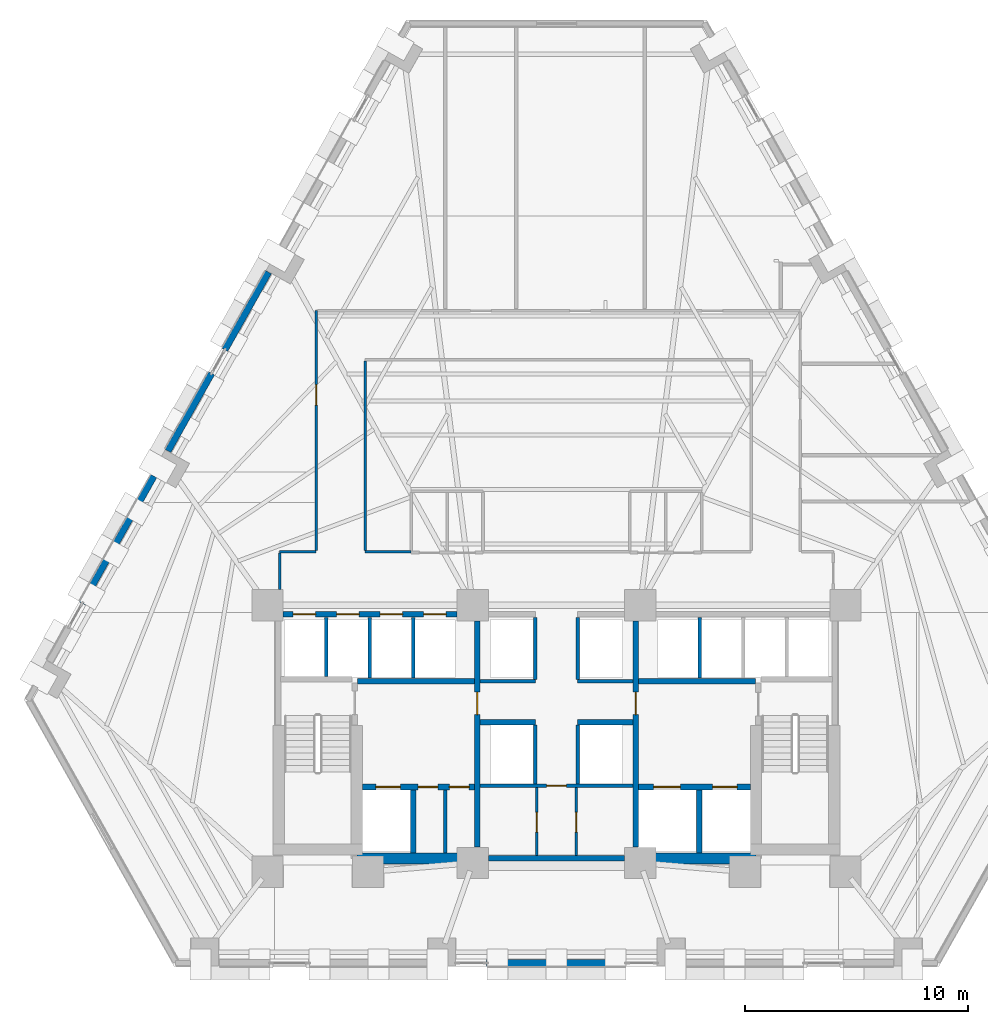
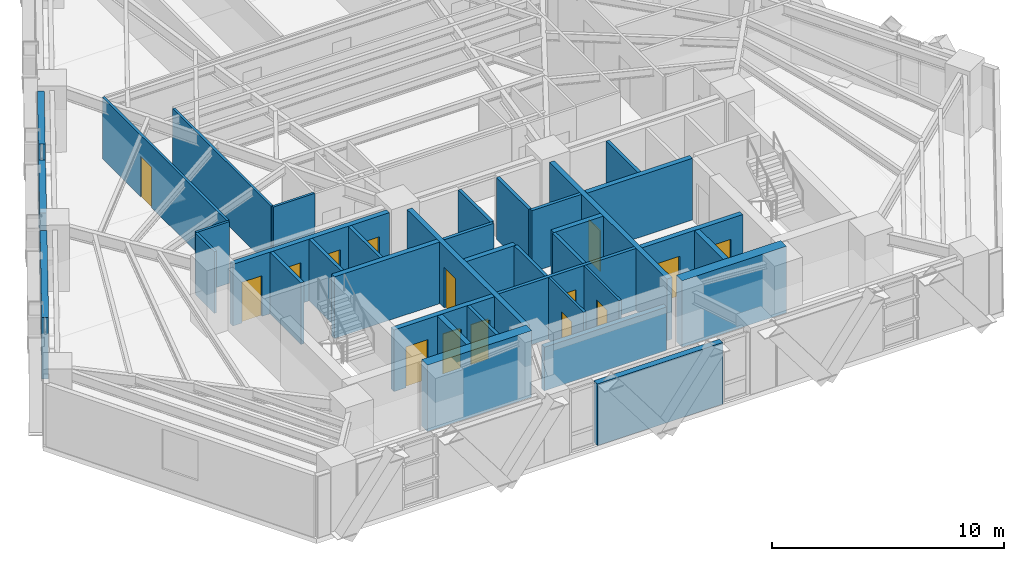
# One storey, part 7 of 13: 37 walls, 15 doors, 15 openings.
"""IFC4 building model written with IfcOpenShell, lengths in metres."""

from ifc_helpers import new_model, si_unit, direction, frame, frame_2d, origin, place, context, subcontext, project, spatial, rectangle, extrude, material, layer, layer_set, type_object, element, fill, save


model = new_model("IFC4")

# Units and contexts
model_context = context("Model", 3, precision=1e-05, world=origin(), true_north=direction((0.0, 1.0)))
body_context = subcontext(model_context, "Body", "Model", "MODEL_VIEW")
ifc_project = project(units=[si_unit("LENGTHUNIT", "METRE"), si_unit("AREAUNIT", "SQUARE_METRE"), si_unit("VOLUMEUNIT", "CUBIC_METRE"), si_unit("PLANEANGLEUNIT", "RADIAN"), si_unit("MASSUNIT", "GRAM", prefix="KILO")], contexts=[model_context])

# Site, building, storey
site_placement = place(None, origin())
site = spatial("IfcSite", under=ifc_project, at=site_placement, CompositionType="ELEMENT")
building_placement = place(site_placement, origin())
building = spatial("IfcBuilding", under=site, at=building_placement, Name="Quenlor Broadcast Tower", CompositionType="ELEMENT")
storey_placement = place(building_placement, frame((0.0, 0.0, 38.10009765625)))
storey = spatial("IfcBuildingStorey", under=building, at=storey_placement, Name="L09", CompositionType="ELEMENT", Elevation=38.10009765625)

# Walls
ifc_material_1 = material(Name="Concrete C65/80", Category="concrete")
ifc_layer_1 = layer(ifc_material_1, 0.5)
ifc_layer_set_1 = layer_set([ifc_layer_1], Name="Core Concrete C65/80 Shear Wall 500")
wall_type_1 = type_object("IfcWallType", Name="Core Concrete C65/80 Shear Wall 500", PredefinedType="SHEAR", material=ifc_layer_set_1)
for number, where, z_axis, x_axis, name in (
    (1, (-8.949951171875, -16.14990234375, 0.0), (0.0, 0.0, 1.0), (1.0, 0.0, 0.0), "L09 Core Shear Wall WS-W2"),
    (2, (3.75, -16.14990234375, 0.0), (0.0, 0.0, 1.0), (1.0, 0.0, 0.0), "L09 Core Shear Wall WS-E1"),
):
    element("IfcWall", number, at=place(storey_placement, frame(where, z_axis=z_axis, x_axis=x_axis)), inside=storey, type_object=wall_type_1, Name=name, PredefinedType="SHEAR", context=body_context, shape_type="SweptSolid", body=[
        extrude(rectangle(XDim=5.199951171875, YDim=0.5, at=frame_2d((2.60009765625, 0.0))), origin(), (0.0, 0.0, 1.0), 3.5),
    ])

# Wall, openings, doors
ifc_material_2 = material(Name="Concrete C40/50", Category="concrete")
ifc_layer_2 = layer(ifc_material_2, 0.25)
ifc_layer_set_2 = layer_set([ifc_layer_2], Name="Fire Rated Concrete C40/50 Core Wall 250")
wall_type_2 = type_object("IfcWallType", Name="Fire Rated Concrete C40/50 Core Wall 250", PredefinedType="PARTITIONING", material=ifc_layer_set_2)
wall_1_placement = place(storey_placement, frame((-8.697998046875, -12.949951171875, 0.0), z_axis=(0.0, 0.0, 1.0), x_axis=(1.0, 0.0, 0.0)))
wall_1 = element("IfcWall", 3, at=wall_1_placement, inside=storey, type_object=wall_type_2, Name="L09 Interior Wall CW-FFW-S", PredefinedType="PARTITIONING", context=body_context, shape_type="SweptSolid", body=[
    extrude(rectangle(XDim=5.01806640625, YDim=0.25, at=frame_2d((2.509033203125, 0.0))), origin(), (0.0, 0.0, 1.0), 3.25),
])
opening_1_placement = place(wall_1_placement, frame((0.597900390625, 0.0, 0.0)))
opening_1 = element("IfcOpeningElement", 4, at=opening_1_placement, cuts=wall_1, Name="Opening LD-FFL-1", PredefinedType="OPENING", context=body_context, shape_type="SweptSolid", body=[
    extrude(rectangle(XDim=1.10009765625, YDim=2.14990234375, at=frame_2d((0.550048828125, 1.074951171875))), frame((0.0, 0.135009765625, 0.0), z_axis=(0.0, -1.0, 0.0), x_axis=(1.0, 0.0, 0.0)), (0.0, 0.0, 1.0), 0.27001953125),
])
opening_2_placement = place(wall_1_placement, frame((2.498046875, 0.0, 0.0)))
opening_2 = element("IfcOpeningElement", 5, at=opening_2_placement, cuts=wall_1, Name="Opening TD-1", PredefinedType="OPENING", context=body_context, shape_type="SweptSolid", body=[
    extrude(rectangle(XDim=0.8798828125, YDim=2.10009765625, at=frame_2d((0.43994140625, 1.050048828125))), frame((0.0, 0.135009765625, 0.0), z_axis=(0.0, -1.0, 0.0), x_axis=(1.0, 0.0, 0.0)), (0.0, 0.0, 1.0), 0.27001953125),
])
opening_3_placement = place(wall_1_placement, frame((3.89794921875, 0.0, 0.0)))
opening_3 = element("IfcOpeningElement", 6, at=opening_3_placement, cuts=wall_1, Name="Opening TD-1", PredefinedType="OPENING", context=body_context, shape_type="SweptSolid", body=[
    extrude(rectangle(XDim=0.8798828125, YDim=2.10009765625, at=frame_2d((0.43994140625, 1.050048828125))), frame((0.0, 0.135009765625, 0.0), z_axis=(0.0, -1.0, 0.0), x_axis=(1.0, 0.0, 0.0)), (0.0, 0.0, 1.0), 0.27001953125),
])
ifc_material_3 = material(Name="Brushed Stainless Steel", Category="steel")
door_type_1 = type_object("IfcDoorType", Name="Emergency Lift Sliding Landing Door 1100x2150", OperationType="NOTDEFINED", PredefinedType="DOOR", material=ifc_material_3)
door_1_placement = place(opening_1_placement, origin())
door_1 = element("IfcDoor", 7, at=door_1_placement, inside=storey, type_object=door_type_1, Name="L09 Door LD-FFL-1", OperationType="SLIDING_TO_LEFT", OverallHeight=2.14990234375, OverallWidth=1.10009765625, PredefinedType="DOOR", context=body_context, shape_type="SweptSolid", body=[
    extrude(rectangle(XDim=1.10009765625, YDim=2.14990234375, at=frame_2d((0.550048828125, 1.074951171875))), frame((0.0, 0.02490234375, 0.0), z_axis=(0.0, -1.0, 0.0), x_axis=(1.0, 0.0, 0.0)), (0.0, 0.0, 1.0), 0.050048828125),
])
fill(opening_1, door_1)
ifc_material_4 = material(Name="Fire Rated Steel Access Panel", Category="steel")
door_type_2 = type_object("IfcDoorType", Name="Riser Shaft Rated Access Trapdoor 880x2100", OperationType="NOTDEFINED", PredefinedType="TRAPDOOR", material=ifc_material_4)
door_2_placement = place(opening_2_placement, origin())
door_2 = element("IfcDoor", 8, at=door_2_placement, inside=storey, type_object=door_type_2, Name="L09 Door DR-ELR", OperationType="SINGLE_SWING_LEFT", OverallHeight=2.10009765625, OverallWidth=0.8798828125, PredefinedType="TRAPDOOR", context=body_context, shape_type="SweptSolid", body=[
    extrude(rectangle(XDim=0.8798828125, YDim=2.10009765625, at=frame_2d((0.43994140625, 1.050048828125))), frame((0.0, 0.02490234375, 0.0), z_axis=(0.0, -1.0, 0.0), x_axis=(1.0, 0.0, 0.0)), (0.0, 0.0, 1.0), 0.050048828125),
])
fill(opening_2, door_2)
door_3_placement = place(opening_3_placement, origin())
door_3 = element("IfcDoor", 9, at=door_3_placement, inside=storey, type_object=door_type_2, Name="L09 Door DR-CMR", OperationType="SINGLE_SWING_RIGHT", OverallHeight=2.10009765625, OverallWidth=0.8798828125, PredefinedType="TRAPDOOR", context=body_context, shape_type="SweptSolid", body=[
    extrude(rectangle(XDim=0.8798828125, YDim=2.10009765625, at=frame_2d((0.43994140625, 1.050048828125))), frame((0.0, 0.02490234375, 0.0), z_axis=(0.0, -1.0, 0.0), x_axis=(1.0, 0.0, 0.0)), (0.0, 0.0, 1.0), 0.050048828125),
])
fill(opening_3, door_3)

wall_2_placement = place(storey_placement, frame((3.679931640625, -12.949951171875, 0.0), z_axis=(0.0, 0.0, 1.0), x_axis=(1.0, 0.0, 0.0)))
wall_2 = element("IfcWall", 10, at=wall_2_placement, inside=storey, type_object=wall_type_2, Name="L09 Interior Wall CW-FFE-S", PredefinedType="PARTITIONING", context=body_context, shape_type="SweptSolid", body=[
    extrude(rectangle(XDim=5.01806640625, YDim=0.25, at=frame_2d((2.509033203125, 0.0))), origin(), (0.0, 0.0, 1.0), 3.25),
])
opening_4_placement = place(wall_2_placement, frame((3.320068359375, 0.0, 0.0)))
opening_4 = element("IfcOpeningElement", 11, at=opening_4_placement, cuts=wall_2, Name="Opening LD-FFL-2", PredefinedType="OPENING", context=body_context, shape_type="SweptSolid", body=[
    extrude(rectangle(XDim=1.10009765625, YDim=2.14990234375, at=frame_2d((0.550048828125, 1.074951171875))), frame((0.0, 0.135009765625, 0.0), z_axis=(0.0, -1.0, 0.0), x_axis=(1.0, 0.0, 0.0)), (0.0, 0.0, 1.0), 0.27001953125),
])
opening_5_placement = place(wall_2_placement, frame((0.669921875, 0.0, 0.0)))
opening_5 = element("IfcOpeningElement", 12, at=opening_5_placement, cuts=wall_2, Name="Opening LD-SVL-1", PredefinedType="OPENING", context=body_context, shape_type="SweptSolid", body=[
    extrude(rectangle(XDim=1.199951171875, YDim=2.14990234375, at=frame_2d((0.60009765625, 1.074951171875))), frame((0.0, 0.135009765625, 0.0), z_axis=(0.0, -1.0, 0.0), x_axis=(1.0, 0.0, 0.0)), (0.0, 0.0, 1.0), 0.27001953125),
])
door_4_placement = place(opening_4_placement, origin())
door_4 = element("IfcDoor", 13, at=door_4_placement, inside=storey, type_object=door_type_1, Name="L09 Door LD-FFL-2", OperationType="SLIDING_TO_RIGHT", OverallHeight=2.14990234375, OverallWidth=1.10009765625, PredefinedType="DOOR", context=body_context, shape_type="SweptSolid", body=[
    extrude(rectangle(XDim=1.10009765625, YDim=2.14990234375, at=frame_2d((0.550048828125, 1.074951171875))), frame((0.0, 0.02490234375, 0.0), z_axis=(0.0, -1.0, 0.0), x_axis=(1.0, 0.0, 0.0)), (0.0, 0.0, 1.0), 0.050048828125),
])
fill(opening_4, door_4)
ifc_material_5 = material(Name="Brushed Stainless Steel", Category="steel")
door_type_3 = type_object("IfcDoorType", Name="Goods Lift Sliding Landing Door 1200x2150", OperationType="NOTDEFINED", PredefinedType="DOOR", material=ifc_material_5)
door_5_placement = place(opening_5_placement, origin())
door_5 = element("IfcDoor", 14, at=door_5_placement, inside=storey, type_object=door_type_3, Name="L09 Door LD-SVL-1", OperationType="SLIDING_TO_LEFT", OverallHeight=2.14990234375, OverallWidth=1.199951171875, PredefinedType="DOOR", context=body_context, shape_type="SweptSolid", body=[
    extrude(rectangle(XDim=1.199951171875, YDim=2.14990234375, at=frame_2d((0.60009765625, 1.074951171875))), frame((0.0, 0.02490234375, 0.0), z_axis=(0.0, -1.0, 0.0), x_axis=(1.0, 0.0, 0.0)), (0.0, 0.0, 1.0), 0.050048828125),
])
fill(opening_5, door_5)

# Walls
for number, where, z_axis, x_axis, name in (
    (15, (-6.419921875, -15.89794921875, 0.0), (0.0, 0.0, 1.0), (0.0, 1.0, 0.0), "L09 Interior Wall CW-FF1-E"),
    (16, (6.39990234375, -15.89794921875, 0.0), (0.0, 0.0, 1.0), (0.0, 1.0, 0.0), "L09 Interior Wall CW-SV1-E"),
):
    element("IfcWall", number, at=place(storey_placement, frame(where, z_axis=z_axis, x_axis=x_axis)), inside=storey, type_object=wall_type_2, Name=name, PredefinedType="PARTITIONING", context=body_context, shape_type="SweptSolid", body=[
        extrude(rectangle(XDim=2.807861328125, YDim=0.25, at=frame_2d((1.40380859375, 0.0))), origin(), (0.0, 0.0, 1.0), 3.25),
    ])
for number, where, z_axis, x_axis, name in (
    (17, (-8.919921875, -8.199951171875, 0.0), (0.0, 0.0, 1.0), (1.0, 0.0, 0.0), "L09 Interior Wall CW-FFW-N"),
    (18, (3.679931640625, -8.199951171875, 0.0), (0.0, 0.0, 1.0), (1.0, 0.0, 0.0), "L09 Interior Wall CW-FFE-N"),
):
    element("IfcWall", number, at=place(storey_placement, frame(where, z_axis=z_axis, x_axis=x_axis)), inside=storey, type_object=wall_type_2, Name=name, PredefinedType="PARTITIONING", context=body_context, shape_type="SweptSolid", body=[
        extrude(rectangle(XDim=5.239990234375, YDim=0.25, at=frame_2d((2.6201171875, 0.0))), origin(), (0.0, 0.0, 1.0), 3.25),
    ])

# Wall, opening, door
wall_3_placement = place(storey_placement, frame((-3.550048828125, -15.64794921875, 0.0), z_axis=(0.0, 0.0, 1.0), x_axis=(0.0, 1.0, 0.0)))
wall_3 = element("IfcWall", 19, at=wall_3_placement, inside=storey, type_object=wall_type_2, Name="L09 Interior Wall CW-FFW-E", PredefinedType="PARTITIONING", context=body_context, shape_type="SweptSolid", body=[
    extrude(rectangle(XDim=10.14599609375, YDim=0.25, at=frame_2d((5.072998046875, 0.0))), origin(), (0.0, 0.0, 1.0), 3.25),
])
opening_6_placement = place(wall_3_placement, frame((5.947998046875, 0.0, 0.0)))
opening_6 = element("IfcOpeningElement", 20, at=opening_6_placement, cuts=wall_3, Name="Opening FD-2", PredefinedType="OPENING", context=body_context, shape_type="SweptSolid", body=[
    extrude(rectangle(XDim=1.0, YDim=2.14990234375, at=frame_2d((0.5, 1.074951171875))), frame((0.0, 0.135009765625, 0.0), z_axis=(0.0, -1.0, 0.0), x_axis=(1.0, 0.0, 0.0)), (0.0, 0.0, 1.0), 0.27001953125),
])
ifc_material_6 = material(Name="Fire Rated Glazed Steel Door", Category="steel")
door_type_4 = type_object("IfcDoorType", Name="Firefighting Lobby Smoke Door 1000x2150", OperationType="NOTDEFINED", PredefinedType="DOOR", material=ifc_material_6)
door_6_placement = place(opening_6_placement, origin())
door_6 = element("IfcDoor", 21, at=door_6_placement, inside=storey, type_object=door_type_4, Name="L09 Door DR-FFLW", OperationType="SINGLE_SWING_RIGHT", OverallHeight=2.14990234375, OverallWidth=1.0, PredefinedType="DOOR", context=body_context, shape_type="SweptSolid", body=[
    extrude(rectangle(XDim=1.0, YDim=2.14990234375, at=frame_2d((0.5, 1.074951171875))), frame((0.0, 0.02490234375, 0.0), z_axis=(0.0, -1.0, 0.0), x_axis=(1.0, 0.0, 0.0)), (0.0, 0.0, 1.0), 0.050048828125),
])
fill(opening_6, door_6)

wall_4_placement = place(storey_placement, frame((3.550048828125, -15.64794921875, 0.0), z_axis=(0.0, 0.0, 1.0), x_axis=(0.0, 1.0, 0.0)))
wall_4 = element("IfcWall", 22, at=wall_4_placement, inside=storey, type_object=wall_type_2, Name="L09 Interior Wall CW-FFE-W", PredefinedType="PARTITIONING", context=body_context, shape_type="SweptSolid", body=[
    extrude(rectangle(XDim=10.14599609375, YDim=0.25, at=frame_2d((5.072998046875, 0.0))), origin(), (0.0, 0.0, 1.0), 3.25),
])
opening_7_placement = place(wall_4_placement, frame((5.947998046875, 0.0, 0.0)))
opening_7 = element("IfcOpeningElement", 23, at=opening_7_placement, cuts=wall_4, Name="Opening FD-2", PredefinedType="OPENING", context=body_context, shape_type="SweptSolid", body=[
    extrude(rectangle(XDim=1.0, YDim=2.14990234375, at=frame_2d((0.5, 1.074951171875))), frame((0.0, 0.135009765625, 0.0), z_axis=(0.0, -1.0, 0.0), x_axis=(1.0, 0.0, 0.0)), (0.0, 0.0, 1.0), 0.27001953125),
])
door_7_placement = place(opening_7_placement, origin())
door_7 = element("IfcDoor", 24, at=door_7_placement, inside=storey, type_object=door_type_4, Name="L09 Door DR-FFLE", OperationType="SINGLE_SWING_LEFT", OverallHeight=2.14990234375, OverallWidth=1.0, PredefinedType="DOOR", context=body_context, shape_type="SweptSolid", body=[
    extrude(rectangle(XDim=1.0, YDim=2.14990234375, at=frame_2d((0.5, 1.074951171875))), frame((0.0, 0.02490234375, 0.0), z_axis=(0.0, -1.0, 0.0), x_axis=(1.0, 0.0, 0.0)), (0.0, 0.0, 1.0), 0.050048828125),
])
fill(opening_7, door_7)

# Wall, openings, doors
wall_5_placement = place(storey_placement, frame((-12.248046875, -5.199951171875, 0.0), z_axis=(0.0, 0.0, 1.0), x_axis=(1.0, 0.0, 0.0)))
wall_5 = element("IfcWall", 25, at=wall_5_placement, inside=storey, type_object=wall_type_2, Name="L09 Interior Wall CW-N-W", PredefinedType="PARTITIONING", context=body_context, shape_type="SweptSolid", body=[
    extrude(rectangle(XDim=7.796142578125, YDim=0.25, at=frame_2d((3.89794921875, 0.0))), origin(), (0.0, 0.0, 1.0), 3.25),
])
opening_8_placement = place(wall_5_placement, frame((0.447998046875, 0.0, 0.0)))
opening_8 = element("IfcOpeningElement", 26, at=opening_8_placement, cuts=wall_5, Name="Opening LD-PL-L1", PredefinedType="OPENING", context=body_context, shape_type="SweptSolid", body=[
    extrude(rectangle(XDim=1.0, YDim=2.14990234375, at=frame_2d((0.5, 1.074951171875))), frame((0.0, 0.135009765625, 0.0), z_axis=(0.0, -1.0, 0.0), x_axis=(1.0, 0.0, 0.0)), (0.0, 0.0, 1.0), 0.27001953125),
])
opening_9_placement = place(wall_5_placement, frame((2.39794921875, 0.0, 0.0)))
opening_9 = element("IfcOpeningElement", 27, at=opening_9_placement, cuts=wall_5, Name="Opening LD-PL-L2", PredefinedType="OPENING", context=body_context, shape_type="SweptSolid", body=[
    extrude(rectangle(XDim=1.0, YDim=2.14990234375, at=frame_2d((0.5, 1.074951171875))), frame((0.0, 0.135009765625, 0.0), z_axis=(0.0, -1.0, 0.0), x_axis=(1.0, 0.0, 0.0)), (0.0, 0.0, 1.0), 0.27001953125),
])
opening_10_placement = place(wall_5_placement, frame((4.347900390625, 0.0, 0.0)))
opening_10 = element("IfcOpeningElement", 28, at=opening_10_placement, cuts=wall_5, Name="Opening LD-PL-L3", PredefinedType="OPENING", context=body_context, shape_type="SweptSolid", body=[
    extrude(rectangle(XDim=1.0, YDim=2.14990234375, at=frame_2d((0.5, 1.074951171875))), frame((0.0, 0.135009765625, 0.0), z_axis=(0.0, -1.0, 0.0), x_axis=(1.0, 0.0, 0.0)), (0.0, 0.0, 1.0), 0.27001953125),
])
opening_11_placement = place(wall_5_placement, frame((6.298095703125, 0.0, 0.0)))
opening_11 = element("IfcOpeningElement", 29, at=opening_11_placement, cuts=wall_5, Name="Opening LD-PL-L4", PredefinedType="OPENING", context=body_context, shape_type="SweptSolid", body=[
    extrude(rectangle(XDim=1.0, YDim=2.14990234375, at=frame_2d((0.5, 1.074951171875))), frame((0.0, 0.135009765625, 0.0), z_axis=(0.0, -1.0, 0.0), x_axis=(1.0, 0.0, 0.0)), (0.0, 0.0, 1.0), 0.27001953125),
])
ifc_material_7 = material(Name="Brushed Stainless Steel", Category="steel")
door_type_5 = type_object("IfcDoorType", Name="Passenger Lift Sliding Landing Door 1000x2150", OperationType="NOTDEFINED", PredefinedType="DOOR", material=ifc_material_7)
door_8_placement = place(opening_8_placement, origin())
door_8 = element("IfcDoor", 30, at=door_8_placement, inside=storey, type_object=door_type_5, Name="L09 Door LD-PL-L1", OperationType="SLIDING_TO_LEFT", OverallHeight=2.14990234375, OverallWidth=1.0, PredefinedType="DOOR", context=body_context, shape_type="SweptSolid", body=[
    extrude(rectangle(XDim=1.0, YDim=2.14990234375, at=frame_2d((0.5, 1.074951171875))), frame((0.0, 0.02490234375, 0.0), z_axis=(0.0, -1.0, 0.0), x_axis=(1.0, 0.0, 0.0)), (0.0, 0.0, 1.0), 0.050048828125),
])
fill(opening_8, door_8)
door_9_placement = place(opening_9_placement, origin())
door_9 = element("IfcDoor", 31, at=door_9_placement, inside=storey, type_object=door_type_5, Name="L09 Door LD-PL-L2", OperationType="SLIDING_TO_LEFT", OverallHeight=2.14990234375, OverallWidth=1.0, PredefinedType="DOOR", context=body_context, shape_type="SweptSolid", body=[
    extrude(rectangle(XDim=1.0, YDim=2.14990234375, at=frame_2d((0.5, 1.074951171875))), frame((0.0, 0.02490234375, 0.0), z_axis=(0.0, -1.0, 0.0), x_axis=(1.0, 0.0, 0.0)), (0.0, 0.0, 1.0), 0.050048828125),
])
fill(opening_9, door_9)
door_10_placement = place(opening_10_placement, origin())
door_10 = element("IfcDoor", 32, at=door_10_placement, inside=storey, type_object=door_type_5, Name="L09 Door LD-PL-L3", OperationType="SLIDING_TO_LEFT", OverallHeight=2.14990234375, OverallWidth=1.0, PredefinedType="DOOR", context=body_context, shape_type="SweptSolid", body=[
    extrude(rectangle(XDim=1.0, YDim=2.14990234375, at=frame_2d((0.5, 1.074951171875))), frame((0.0, 0.02490234375, 0.0), z_axis=(0.0, -1.0, 0.0), x_axis=(1.0, 0.0, 0.0)), (0.0, 0.0, 1.0), 0.050048828125),
])
fill(opening_10, door_10)
door_11_placement = place(opening_11_placement, origin())
door_11 = element("IfcDoor", 33, at=door_11_placement, inside=storey, type_object=door_type_5, Name="L09 Door LD-PL-L4", OperationType="SLIDING_TO_LEFT", OverallHeight=2.14990234375, OverallWidth=1.0, PredefinedType="DOOR", context=body_context, shape_type="SweptSolid", body=[
    extrude(rectangle(XDim=1.0, YDim=2.14990234375, at=frame_2d((0.5, 1.074951171875))), frame((0.0, 0.02490234375, 0.0), z_axis=(0.0, -1.0, 0.0), x_axis=(1.0, 0.0, 0.0)), (0.0, 0.0, 1.0), 0.050048828125),
])
fill(opening_11, door_11)

# Walls
wall_6_placement = place(storey_placement, frame((-3.048095703125, -16.14990234375, 0.0), z_axis=(0.0, 0.0, 1.0), x_axis=(1.0, 0.0, 0.0)))
element("IfcWall", 34, at=wall_6_placement, inside=storey, type_object=wall_type_2, Name="L09 Interior Wall CW-MS-S", PredefinedType="PARTITIONING", context=body_context, shape_type="SweptSolid", body=[
    extrude(rectangle(XDim=6.09619140625, YDim=0.25, at=frame_2d((3.048095703125, 0.0))), origin(), (0.0, 0.0, 1.0), 2.2998046875),
])
for number, where, z_axis, x_axis, name in (
    (35, (-3.419921875, -10.050048828125, 0.0), (0.0, 0.0, 1.0), (1.0, 0.0, 0.0), "L09 Interior Wall CW-MS-N1"),
    (36, (0.949951171875, -10.050048828125, 0.0), (0.0, 0.0, 1.0), (1.0, 0.0, 0.0), "L09 Interior Wall CW-MS-N2"),
):
    element("IfcWall", number, at=place(storey_placement, frame(where, z_axis=z_axis, x_axis=x_axis)), inside=storey, type_object=wall_type_2, Name=name, PredefinedType="PARTITIONING", context=body_context, shape_type="SweptSolid", body=[
        extrude(rectangle(XDim=2.469970703125, YDim=0.25, at=frame_2d((1.23486328125, 0.0))), origin(), (0.0, 0.0, 1.0), 3.25),
    ])
ifc_material_8 = material(Name="Gypsum Fireboard Partition", Category="other")
ifc_layer_3 = layer(ifc_material_8, 0.159912109375)
ifc_layer_set_3 = layer_set([ifc_layer_3], Name="Fire Rated Shaft and Corridor Partition 160")
wall_type_3 = type_object("IfcWallType", Name="Fire Rated Shaft and Corridor Partition 160", PredefinedType="PARTITIONING", material=ifc_layer_set_3)
wall_7_placement = place(storey_placement, frame((-4.97998046875, -15.89794921875, 0.0), z_axis=(0.0, 0.0, 1.0), x_axis=(0.0, 1.0, 0.0)))
element("IfcWall", 37, at=wall_7_placement, inside=storey, type_object=wall_type_3, Name="L09 Interior Wall CW-ELR-E", PredefinedType="PARTITIONING", context=body_context, shape_type="SweptSolid", body=[
    extrude(rectangle(XDim=2.807861328125, YDim=0.159912109375, at=frame_2d((1.40380859375, 0.0))), origin(), (0.0, 0.0, 1.0), 3.25),
])
wall_8_placement = place(storey_placement, frame((-10.324951171875, -7.992919921875, 0.0), z_axis=(0.0, 0.0, 1.0), x_axis=(0.0, 1.0, 0.0)))
element("IfcWall", 38, at=wall_8_placement, inside=storey, type_object=wall_type_3, Name="L09 Interior Wall CW-PLL-D1", PredefinedType="PARTITIONING", context=body_context, shape_type="SweptSolid", body=[
    extrude(rectangle(XDim=2.65283203125, YDim=0.159912109375, at=frame_2d((1.326416015625, 0.0))), origin(), (0.0, 0.0, 1.0), 3.25),
])
for number, where, z_axis, x_axis, name in (
    (39, (-8.375, -8.072998046875, 0.0), (0.0, 0.0, 1.0), (0.0, 1.0, 0.0), "L09 Interior Wall CW-PLL-D2"),
    (40, (-6.425048828125, -8.072998046875, 0.0), (0.0, 0.0, 1.0), (0.0, 1.0, 0.0), "L09 Interior Wall CW-PLL-D3"),
    (41, (6.425048828125, -8.072998046875, 0.0), (0.0, 0.0, 1.0), (0.0, 1.0, 0.0), "L09 Interior Wall CW-PLH-D1"),
):
    element("IfcWall", number, at=place(storey_placement, frame(where, z_axis=z_axis, x_axis=x_axis)), inside=storey, type_object=wall_type_3, Name=name, PredefinedType="PARTITIONING", context=body_context, shape_type="SweptSolid", body=[
        extrude(rectangle(XDim=2.73291015625, YDim=0.159912109375, at=frame_2d((1.366455078125, 0.0))), origin(), (0.0, 0.0, 1.0), 3.25),
    ])
for number, where, z_axis, x_axis, name in (
    (42, (-0.949951171875, -8.1201171875, 0.0), (0.0, 0.0, 1.0), (0.0, 1.0, 0.0), "L09 Interior Wall CW-CCRP-W"),
    (43, (0.949951171875, -8.1201171875, 0.0), (0.0, 0.0, 1.0), (0.0, 1.0, 0.0), "L09 Interior Wall CW-CCRP-E"),
):
    element("IfcWall", number, at=place(storey_placement, frame(where, z_axis=z_axis, x_axis=x_axis)), inside=storey, type_object=wall_type_3, Name=name, PredefinedType="PARTITIONING", context=body_context, shape_type="SweptSolid", body=[
        extrude(rectangle(XDim=2.780029296875, YDim=0.159912109375, at=frame_2d((1.39013671875, 0.0))), origin(), (0.0, 0.0, 1.0), 3.25),
    ])
for number, where, z_axis, x_axis, name in (
    (44, (-3.419921875, -8.199951171875, 0.0), (0.0, 0.0, 1.0), (1.0, 0.0, 0.0), "L09 Interior Wall CW-M-BACK1"),
    (45, (0.949951171875, -8.199951171875, 0.0), (0.0, 0.0, 1.0), (1.0, 0.0, 0.0), "L09 Interior Wall CW-M-BACK2"),
):
    element("IfcWall", number, at=place(storey_placement, frame(where, z_axis=z_axis, x_axis=x_axis)), inside=storey, type_object=wall_type_3, Name=name, PredefinedType="PARTITIONING", context=body_context, shape_type="SweptSolid", body=[
        extrude(rectangle(XDim=2.469970703125, YDim=0.159912109375, at=frame_2d((1.23486328125, 0.0))), origin(), (0.0, 0.0, 1.0), 3.25),
    ])

# Wall, opening, door
wall_9_placement = place(storey_placement, frame((-3.419921875, -12.89990234375, 0.0), z_axis=(0.0, 0.0, 1.0), x_axis=(1.0, 0.0, 0.0)))
wall_9 = element("IfcWall", 46, at=wall_9_placement, inside=storey, type_object=wall_type_3, Name="L09 Interior Wall CW-MS-B", PredefinedType="PARTITIONING", context=body_context, shape_type="SweptSolid", body=[
    extrude(rectangle(XDim=6.83984375, YDim=0.159912109375, at=frame_2d((3.419921875, 0.0))), origin(), (0.0, 0.0, 1.0), 3.25),
])
opening_12_placement = place(wall_9_placement, frame((2.97998046875, 0.0, 0.0)))
opening_12 = element("IfcOpeningElement", 47, at=opening_12_placement, cuts=wall_9, Name="Opening ID-4", PredefinedType="OPENING", context=body_context, shape_type="SweptSolid", body=[
    extrude(rectangle(XDim=0.8798828125, YDim=2.1201171875, at=frame_2d((0.43994140625, 1.06005859375))), frame((0.0, 0.08984375, 0.0), z_axis=(0.0, -1.0, 0.0), x_axis=(1.0, 0.0, 0.0)), (0.0, 0.0, 1.0), 0.179931640625),
])
ifc_material_9 = material(Name="Solid Core Timber Oak", Category="wood")
door_type_6 = type_object("IfcDoorType", Name="Service Closet Timber Door 880x2120", OperationType="NOTDEFINED", PredefinedType="DOOR", material=ifc_material_9)
door_12_placement = place(opening_12_placement, origin())
door_12 = element("IfcDoor", 48, at=door_12_placement, inside=storey, type_object=door_type_6, Name="L09 Door DR-CSV0", OperationType="SINGLE_SWING_LEFT", OverallHeight=2.1201171875, OverallWidth=0.8798828125, PredefinedType="DOOR", context=body_context, shape_type="SweptSolid", body=[
    extrude(rectangle(XDim=0.8798828125, YDim=2.1201171875, at=frame_2d((0.43994140625, 1.06005859375))), frame((0.0, 0.02490234375, 0.0), z_axis=(0.0, -1.0, 0.0), x_axis=(1.0, 0.0, 0.0)), (0.0, 0.0, 1.0), 0.050048828125),
])
fill(opening_12, door_12)

# Walls
for number, where, z_axis, x_axis, name in (
    (49, (-0.949951171875, -12.818115234375, 0.0), (0.0, 0.0, 1.0), (0.0, 1.0, 0.0), "L09 Interior Wall CW-MS-W"),
    (50, (0.949951171875, -12.818115234375, 0.0), (0.0, 0.0, 1.0), (0.0, 1.0, 0.0), "L09 Interior Wall CW-MS-E"),
):
    element("IfcWall", number, at=place(storey_placement, frame(where, z_axis=z_axis, x_axis=x_axis)), inside=storey, type_object=wall_type_3, Name=name, PredefinedType="PARTITIONING", context=body_context, shape_type="SweptSolid", body=[
        extrude(rectangle(XDim=2.63818359375, YDim=0.159912109375, at=frame_2d((1.319091796875, 0.0))), origin(), (0.0, 0.0, 1.0), 3.25),
    ])

# Wall, opening, door
ifc_material_10 = material(Name="Gypsum Plasterboard Partition", Category="other")
ifc_layer_4 = layer(ifc_material_10, 0.1201171875)
ifc_layer_set_4 = layer_set([ifc_layer_4], Name="Standard Office Partition 120")
wall_type_4 = type_object("IfcWallType", Name="Standard Office Partition 120", PredefinedType="PARTITIONING", material=ifc_layer_set_4)
wall_10_placement = place(storey_placement, frame((-0.8798828125, -16.02001953125, 0.0), z_axis=(0.0, 0.0, 1.0), x_axis=(0.0, 1.0, 0.0)))
wall_10 = element("IfcWall", 51, at=wall_10_placement, inside=storey, type_object=wall_type_4, Name="L09 Interior Wall CW-CSV-W3", PredefinedType="PARTITIONING", context=body_context, shape_type="SweptSolid", body=[
    extrude(rectangle(XDim=3.0380859375, YDim=0.1201171875, at=frame_2d((1.51904296875, 0.0))), origin(), (0.0, 0.0, 1.0), 3.25),
])
opening_13_placement = place(wall_10_placement, frame((1.050048828125, 0.0, 0.0)))
opening_13 = element("IfcOpeningElement", 52, at=opening_13_placement, cuts=wall_10, Name="Opening ID-4", PredefinedType="OPENING", context=body_context, shape_type="SweptSolid", body=[
    extrude(rectangle(XDim=0.8798828125, YDim=2.1201171875, at=frame_2d((0.43994140625, 1.06005859375))), frame((0.0, 0.070068359375, 0.0), z_axis=(0.0, -1.0, 0.0), x_axis=(1.0, 0.0, 0.0)), (0.0, 0.0, 1.0), 0.14013671875),
])
door_13_placement = place(opening_13_placement, origin())
door_13 = element("IfcDoor", 53, at=door_13_placement, inside=storey, type_object=door_type_6, Name="L09 Door DR-CSV1", OperationType="SINGLE_SWING_LEFT", OverallHeight=2.1201171875, OverallWidth=0.8798828125, PredefinedType="DOOR", context=body_context, shape_type="SweptSolid", body=[
    extrude(rectangle(XDim=0.8798828125, YDim=2.1201171875, at=frame_2d((0.43994140625, 1.06005859375))), frame((0.0, 0.02490234375, 0.0), z_axis=(0.0, -1.0, 0.0), x_axis=(1.0, 0.0, 0.0)), (0.0, 0.0, 1.0), 0.050048828125),
])
fill(opening_13, door_13)

wall_11_placement = place(storey_placement, frame((0.8798828125, -16.02001953125, 0.0), z_axis=(0.0, 0.0, 1.0), x_axis=(0.0, 1.0, 0.0)))
wall_11 = element("IfcWall", 54, at=wall_11_placement, inside=storey, type_object=wall_type_4, Name="L09 Interior Wall CW-CSV-E3", PredefinedType="PARTITIONING", context=body_context, shape_type="SweptSolid", body=[
    extrude(rectangle(XDim=3.0380859375, YDim=0.1201171875, at=frame_2d((1.51904296875, 0.0))), origin(), (0.0, 0.0, 1.0), 3.25),
])
opening_14_placement = place(wall_11_placement, frame((1.050048828125, 0.0, 0.0)))
opening_14 = element("IfcOpeningElement", 55, at=opening_14_placement, cuts=wall_11, Name="Opening ID-4", PredefinedType="OPENING", context=body_context, shape_type="SweptSolid", body=[
    extrude(rectangle(XDim=0.8798828125, YDim=2.1201171875, at=frame_2d((0.43994140625, 1.06005859375))), frame((0.0, 0.070068359375, 0.0), z_axis=(0.0, -1.0, 0.0), x_axis=(1.0, 0.0, 0.0)), (0.0, 0.0, 1.0), 0.14013671875),
])
door_14_placement = place(opening_14_placement, origin())
door_14 = element("IfcDoor", 56, at=door_14_placement, inside=storey, type_object=door_type_6, Name="L09 Door DR-CSV2", OperationType="SINGLE_SWING_RIGHT", OverallHeight=2.1201171875, OverallWidth=0.8798828125, PredefinedType="DOOR", context=body_context, shape_type="SweptSolid", body=[
    extrude(rectangle(XDim=0.8798828125, YDim=2.1201171875, at=frame_2d((0.43994140625, 1.06005859375))), frame((0.0, 0.02490234375, 0.0), z_axis=(0.0, -1.0, 0.0), x_axis=(1.0, 0.0, 0.0)), (0.0, 0.0, 1.0), 0.050048828125),
])
fill(opening_14, door_14)

# Wall
wall_12_placement = place(storey_placement, frame((-12.409912109375, -2.39990234375, 0.0), z_axis=(0.0, 0.0, 1.0), x_axis=(1.0, 0.0, 0.0)))
element("IfcWall", 57, at=wall_12_placement, inside=storey, type_object=wall_type_4, Name="L09 Interior Wall PW-CR-01", PredefinedType="PARTITIONING", context=body_context, shape_type="SweptSolid", body=[
    extrude(rectangle(XDim=1.635009765625, YDim=0.1201171875, at=frame_2d((0.8173828125, 0.0))), origin(), (0.0, 0.0, 1.0), 3.25),
])

# Wall, opening, door
wall_13_placement = place(storey_placement, frame((-10.77490234375, -2.337890625, 0.0), z_axis=(0.0, 0.0, 1.0), x_axis=(0.0, 1.0, 0.0)))
wall_13 = element("IfcWall", 58, at=wall_13_placement, inside=storey, type_object=wall_type_4, Name="L09 Interior Wall PW-CR-02", PredefinedType="PARTITIONING", context=body_context, shape_type="SweptSolid", body=[
    extrude(rectangle(XDim=10.73779296875, YDim=0.1201171875, at=frame_2d((5.368896484375, 0.0))), origin(), (0.0, 0.0, 1.0), 3.25),
])
opening_15_placement = place(wall_13_placement, frame((6.509033203125, 0.0, 0.0)))
opening_15 = element("IfcOpeningElement", 59, at=opening_15_placement, cuts=wall_13, Name="Opening ID-1", PredefinedType="OPENING", context=body_context, shape_type="SweptSolid", body=[
    extrude(rectangle(XDim=0.919921875, YDim=2.1201171875, at=frame_2d((0.4599609375, 1.06005859375))), frame((0.0, 0.070068359375, 0.0), z_axis=(0.0, -1.0, 0.0), x_axis=(1.0, 0.0, 0.0)), (0.0, 0.0, 1.0), 0.14013671875),
])
ifc_material_11 = material(Name="Solid Core Timber Oak", Category="wood")
door_type_7 = type_object("IfcDoorType", Name="Single Leaf Timber Office Door 920x2120", OperationType="NOTDEFINED", PredefinedType="DOOR", material=ifc_material_11)
door_15_placement = place(opening_15_placement, origin())
door_15 = element("IfcDoor", 60, at=door_15_placement, inside=storey, type_object=door_type_7, Name="L09 Door DR-RM04", OperationType="SINGLE_SWING_RIGHT", OverallHeight=2.1201171875, OverallWidth=0.919921875, PredefinedType="DOOR", context=body_context, shape_type="SweptSolid", body=[
    extrude(rectangle(XDim=0.919921875, YDim=2.1201171875, at=frame_2d((0.4599609375, 1.06005859375))), frame((0.0, 0.02490234375, 0.0), z_axis=(0.0, -1.0, 0.0), x_axis=(1.0, 0.0, 0.0)), (0.0, 0.0, 1.0), 0.050048828125),
])
fill(opening_15, door_15)

# Walls
wall_14_placement = place(storey_placement, frame((-12.409912109375, -4.097900390625, 0.0), z_axis=(0.0, 0.0, 1.0), x_axis=(0.0, 1.0, 0.0)))
element("IfcWall", 61, at=wall_14_placement, inside=storey, type_object=wall_type_4, Name="L09 Interior Wall PW-CR-07", PredefinedType="PARTITIONING", context=body_context, shape_type="SweptSolid", body=[
    extrude(rectangle(XDim=1.635986328125, YDim=0.1201171875, at=frame_2d((0.81787109375, 0.0))), origin(), (0.0, 0.0, 1.0), 3.25),
])
wall_15_placement = place(storey_placement, frame((-8.574951171875, -2.39990234375, 0.0), z_axis=(0.0, 0.0, 1.0), x_axis=(1.0, 0.0, 0.0)))
element("IfcWall", 62, at=wall_15_placement, inside=storey, type_object=wall_type_4, Name="L09 Interior Wall PW-CR-08", PredefinedType="PARTITIONING", context=body_context, shape_type="SweptSolid", body=[
    extrude(rectangle(XDim=2.06298828125, YDim=0.1201171875, at=frame_2d((1.031494140625, 0.0))), origin(), (0.0, 0.0, 1.0), 3.25),
])
wall_16_placement = place(storey_placement, frame((-8.574951171875, 6.137939453125, 0.0), z_axis=(0.0, 0.0, 1.0), x_axis=(0.0, -1.0, 0.0)))
element("IfcWall", 63, at=wall_16_placement, inside=storey, type_object=wall_type_4, Name="L09 Interior Wall PW-CR-11", PredefinedType="PARTITIONING", context=body_context, shape_type="SweptSolid", body=[
    extrude(rectangle(XDim=8.475830078125, YDim=0.1201171875, at=frame_2d((4.23779296875, 0.0))), origin(), (0.0, 0.0, 1.0), 3.25),
])
ifc_material_12 = material(Name="Precast concrete C40/50", Category="concrete")
ifc_layer_5 = layer(ifc_material_12, 0.300048828125)
ifc_layer_set_5 = layer_set([ifc_layer_5], Name="Terracotta Precast Concrete C40/50 Spandrel Wall 300")
wall_type_5 = type_object("IfcWallType", Name="Terracotta Precast Concrete C40/50 Spandrel Wall 300", PredefinedType="STANDARD", material=ifc_layer_set_5)
wall_17_placement = place(storey_placement, frame((3.126220703125, -20.840087890625, 0.0), z_axis=(0.0, 0.0, 1.0), x_axis=(-1.0, 0.0, 0.0)))
element("IfcWall", 64, at=wall_17_placement, inside=storey, type_object=wall_type_5, Name="L09 Exterior Wall L09-S-SP1", PredefinedType="STANDARD", context=body_context, shape_type="SweptSolid", body=[
    extrude(rectangle(XDim=6.25244140625, YDim=0.300048828125, at=frame_2d((3.126220703125, 0.0))), origin(), (0.0, 0.0, 1.0), 3.25),
])
wall_18_placement = place(storey_placement, frame((-21.257568359375, -4.7177734375, 0.0), z_axis=(0.0, 0.0, 1.0), x_axis=(0.490245297262, 0.871584504516, 0.0)))
element("IfcWall", 65, at=wall_18_placement, inside=storey, type_object=wall_type_5, Name="L09 Exterior Wall L09-NWA-SP2", PredefinedType="STANDARD", context=body_context, shape_type="SweptSolid", body=[
    extrude(rectangle(XDim=6.543701171875, YDim=0.300048828125, at=frame_2d((3.27197265625, 0.0))), origin(), (0.0, 0.0, 1.0), 3.25),
])
for number, where, z_axis, x_axis, name in (
    (66, (-17.414794921875, 2.1142578125, 0.0), (0.0, 0.0, 1.0), (0.49028736482, 0.871560841191, 0.0), "L09 Exterior Wall L09-NW-SP1"),
    (67, (-14.864013671875, 6.648681640625, 0.0), (0.0, 0.0, 1.0), (0.49028736482, 0.871560841191, 0.0), "L09 Exterior Wall L09-NW-SP2"),
):
    element("IfcWall", number, at=place(storey_placement, frame(where, z_axis=z_axis, x_axis=x_axis)), inside=storey, type_object=wall_type_5, Name=name, PredefinedType="STANDARD", context=body_context, shape_type="SweptSolid", body=[
        extrude(rectangle(XDim=3.9931640625, YDim=0.300048828125, at=frame_2d((1.99658203125, 0.0))), origin(), (0.0, 0.0, 1.0), 3.25),
    ])

save(model, "model.ifc")
